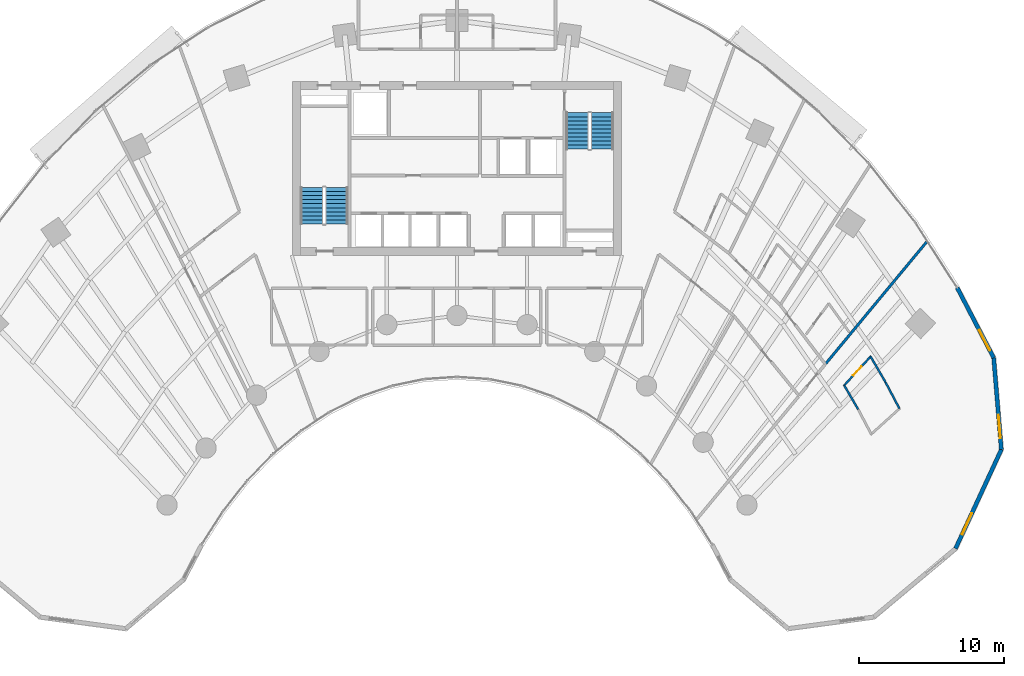
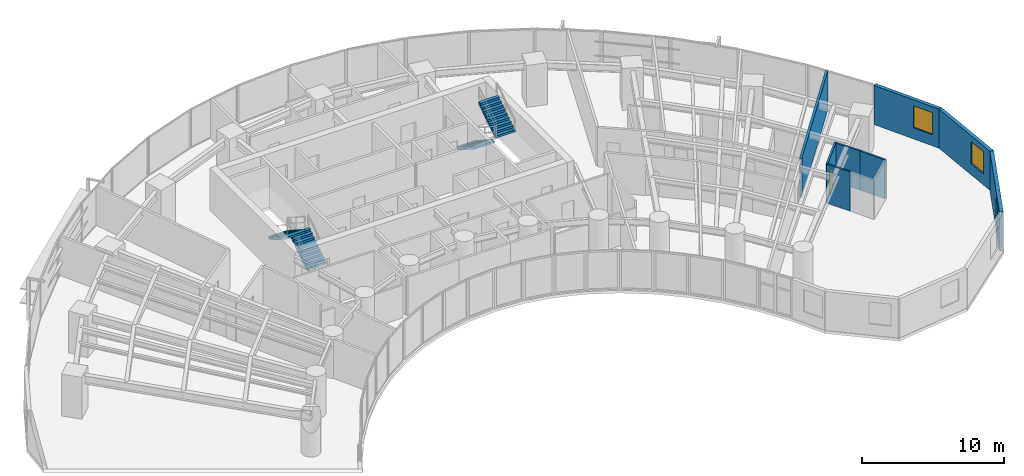
# One storey, part 14 of 17: 8 walls, 4 stair flights, 3 windows, 1 door, 4 openings, 2 elements without a shape of their own.
"""IFC4 building model written with IfcOpenShell, lengths in metres."""

from ifc_helpers import new_model, si_unit, direction, frame, frame_2d, origin, place, context, subcontext, project, spatial, polyline, rectangle, outline, extrude, source, transform, mapped, material, layer, layer_set, type_object, type_shapes, element, fill, aggregate, save


model = new_model("IFC4")

# Units and contexts
model_context = context("Model", 3, precision=1e-05, world=origin(), true_north=direction((0.0, 1.0)))
body_context = subcontext(model_context, "Body", "Model", "MODEL_VIEW")
ifc_project = project(units=[si_unit("LENGTHUNIT", "METRE"), si_unit("AREAUNIT", "SQUARE_METRE"), si_unit("VOLUMEUNIT", "CUBIC_METRE"), si_unit("PLANEANGLEUNIT", "RADIAN"), si_unit("MASSUNIT", "GRAM", prefix="KILO")], contexts=[model_context])

# Site, building, storey
site_placement = place(None, origin())
site = spatial("IfcSite", under=ifc_project, at=site_placement, CompositionType="ELEMENT")
building_placement = place(site_placement, origin())
building = spatial("IfcBuilding", under=site, at=building_placement, Name="Breltana Convention Tower", CompositionType="ELEMENT")
storey_placement = place(building_placement, frame((0.0, 0.0, 64.199951171875)))
storey = spatial("IfcBuildingStorey", under=building, at=storey_placement, Name="L14", CompositionType="ELEMENT", Elevation=64.199951171875)

# Wall, opening, window
ifc_material_1 = material(Name="Limestone Buff Insulated Wall", Category="masonry")
ifc_layer_1 = layer(ifc_material_1, 0.280029296875, Name="Limestone Buff Insulated Wall")
ifc_layer_set_1 = layer_set([ifc_layer_1], Name="Limestone Buff Insulated Wall")
wall_type_1 = type_object("IfcWallType", Name="WL-EXT-NOSE-280", PredefinedType="SOLIDWALL", material=ifc_layer_set_1)
shared_shape_1 = source(origin(), body_context, "Body", "SweptSolid", [
    extrude(rectangle(XDim=6.3525390625, YDim=0.280029296875, at=frame_2d((3.17626953125, 0.0))), origin(), (0.0, 0.0, 1.0), 3.360107421875),
])
wall_1_placement = place(storey_placement, frame((85.052978515625, 53.1220703125, 0.0), z_axis=(0.0, 0.0, 1.0), x_axis=(0.083319001377, -0.996522926986, 0.0)))
wall_1 = element("IfcWall", 1, at=wall_1_placement, inside=storey, type_object=wall_type_1, Name="L14 curved limestone nose wall E1", PredefinedType="SOLIDWALL", context=body_context, shape_type="MappedRepresentation", body=[
    mapped(shared_shape_1, transform((0.0, 0.0, 0.0), scale=1.0)),
])
opening_1_placement = place(wall_1_placement, frame((3.96435546875, 0.0, 0.949951171875)))
opening_1 = element("IfcOpeningElement", 2, at=opening_1_placement, cuts=wall_1, Name="Opening W-04", PredefinedType="OPENING", context=body_context, shape_type="SweptSolid", body=[
    extrude(rectangle(XDim=1.60009765625, YDim=1.89990234375, at=frame_2d((0.800048828125, 0.949951171875))), frame((0.0, 0.14990234375, 0.0), z_axis=(0.0, -1.0, 0.0), x_axis=(1.0, 0.0, 0.0)), (0.0, 0.0, 1.0), 0.300048828125),
])
ifc_material_2 = material(Name="Glass Low-E Insulated Window", Category="glass")
window_type = type_object("IfcWindowType", Name="WN-NOSE-1600X1900", PartitioningType="SINGLE_PANEL", PredefinedType="WINDOW", material=ifc_material_2)
shared_shape_2 = source(origin(), body_context, "Body", "SweptSolid", [
    extrude(rectangle(XDim=1.60009765625, YDim=1.89990234375, at=frame_2d((0.800048828125, 0.949951171875))), frame((0.0, 0.030029296875, 0.0), z_axis=(0.0, -1.0, 0.0), x_axis=(1.0, 0.0, 0.0)), (0.0, 0.0, 1.0), 0.06005859375),
])
type_shapes(window_type, [shared_shape_2])
window_1_placement = place(opening_1_placement, origin())
window_1 = element("IfcWindow", 3, at=window_1_placement, inside=storey, type_object=window_type, Name="L14 nose window E1", OverallHeight=1.89990234375, OverallWidth=1.60009765625, PartitioningType="SINGLE_PANEL", PredefinedType="WINDOW", context=body_context, shape_type="MappedRepresentation", body=[
    mapped(shared_shape_2, transform((0.0, 0.0, 0.0), scale=1.0)),
])
fill(opening_1, window_1)

shared_shape_3 = source(origin(), body_context, "Body", "SweptSolid", [
    extrude(rectangle(XDim=7.536376953125, YDim=0.280029296875, at=frame_2d((3.76806640625, 0.0))), origin(), (0.0, 0.0, 1.0), 3.360107421875),
])
wall_2_placement = place(storey_placement, frame((85.582275390625, 46.79150390625, 0.0), z_axis=(0.0, 0.0, 1.0), x_axis=(-0.41964973873, -0.907686122393, 0.0)))
wall_2 = element("IfcWall", 4, at=wall_2_placement, inside=storey, type_object=wall_type_1, Name="L14 curved limestone nose wall E2", PredefinedType="SOLIDWALL", context=body_context, shape_type="MappedRepresentation", body=[
    mapped(shared_shape_3, transform((0.0, 0.0, 0.0), scale=1.0)),
])
opening_2_placement = place(wall_2_placement, frame((4.852294921875, 0.0, 0.949951171875)))
opening_2 = element("IfcOpeningElement", 5, at=opening_2_placement, cuts=wall_2, Name="Opening W-04", PredefinedType="OPENING", context=body_context, shape_type="SweptSolid", body=[
    extrude(rectangle(XDim=1.60009765625, YDim=1.89990234375, at=frame_2d((0.800048828125, 0.949951171875))), frame((0.0, 0.14990234375, 0.0), z_axis=(0.0, -1.0, 0.0), x_axis=(1.0, 0.0, 0.0)), (0.0, 0.0, 1.0), 0.300048828125),
])
window_2_placement = place(opening_2_placement, origin())
window_2 = element("IfcWindow", 6, at=window_2_placement, inside=storey, type_object=window_type, Name="L14 nose window E2", OverallHeight=1.89990234375, OverallWidth=1.60009765625, PartitioningType="SINGLE_PANEL", PredefinedType="WINDOW", context=body_context, shape_type="MappedRepresentation", body=[
    mapped(shared_shape_2, transform((0.0, 0.0, 0.0), scale=1.0)),
])
fill(opening_2, window_2)

shared_shape_4 = source(origin(), body_context, "Body", "SweptSolid", [
    extrude(rectangle(XDim=5.45947265625, YDim=0.280029296875, at=frame_2d((2.729736328125, 0.0))), origin(), (0.0, 0.0, 1.0), 3.360107421875),
])
wall_3_placement = place(storey_placement, frame((82.531982421875, 57.964599609375, 0.0), z_axis=(0.0, 0.0, 1.0), x_axis=(0.461768054321, -0.887000712518, 0.0)))
wall_3 = element("IfcWall", 7, at=wall_3_placement, inside=storey, type_object=wall_type_1, Name="L14 curved limestone nose wall E7", PredefinedType="SOLIDWALL", context=body_context, shape_type="MappedRepresentation", body=[
    mapped(shared_shape_4, transform((0.0, 0.0, 0.0), scale=1.0)),
])
opening_3_placement = place(wall_3_placement, frame((3.294677734375, 0.0, 0.949951171875)))
opening_3 = element("IfcOpeningElement", 8, at=opening_3_placement, cuts=wall_3, Name="Opening W-04", PredefinedType="OPENING", context=body_context, shape_type="SweptSolid", body=[
    extrude(rectangle(XDim=1.60009765625, YDim=1.89990234375, at=frame_2d((0.800048828125, 0.949951171875))), frame((0.0, 0.14990234375, 0.0), z_axis=(0.0, -1.0, 0.0), x_axis=(1.0, 0.0, 0.0)), (0.0, 0.0, 1.0), 0.300048828125),
])
window_3_placement = place(opening_3_placement, origin())
window_3 = element("IfcWindow", 9, at=window_3_placement, inside=storey, type_object=window_type, Name="L14 nose window E7", OverallHeight=1.89990234375, OverallWidth=1.60009765625, PartitioningType="SINGLE_PANEL", PredefinedType="WINDOW", context=body_context, shape_type="MappedRepresentation", body=[
    mapped(shared_shape_2, transform((0.0, 0.0, 0.0), scale=1.0)),
])
fill(opening_3, window_3)

# Wall, opening, door
ifc_material_3 = material(Name="Moisture-Resistant En-Suite Partition")
ifc_layer_2 = layer(ifc_material_3, 0.139892578125, Name="Moisture-Resistant En-Suite Partition")
ifc_layer_set_2 = layer_set([ifc_layer_2], Name="Moisture-Resistant En-Suite Partition")
wall_type_2 = type_object("IfcWallType", Name="WL-WET-150", PredefinedType="PARTITIONING", material=ifc_layer_set_2)
shared_shape_5 = source(origin(), body_context, "Body", "SweptSolid", [
    extrude(rectangle(XDim=2.812255859375, YDim=0.139892578125, at=frame_2d((1.40625, 0.0))), origin(), (0.0, 0.0, 1.0), 3.360107421875),
])
wall_4_placement = place(storey_placement, frame((74.69677734375, 51.176513671875, 0.0), z_axis=(0.0, 0.0, 1.0), x_axis=(0.675119025852, 0.737708818527, 0.0)))
wall_4 = element("IfcWall", 10, at=wall_4_placement, inside=storey, type_object=wall_type_2, Name="L14 interior partition W-L14-CSENS-E-W", PredefinedType="PARTITIONING", context=body_context, shape_type="MappedRepresentation", body=[
    mapped(shared_shape_5, transform((0.0, 0.0, 0.0), scale=1.0)),
])
opening_4_placement = place(wall_4_placement, frame((0.981201171875, 0.0, 0.0)))
opening_4 = element("IfcOpeningElement", 11, at=opening_4_placement, cuts=wall_4, Name="Opening D-21", PredefinedType="OPENING", context=body_context, shape_type="SweptSolid", body=[
    extrude(rectangle(XDim=0.85009765625, YDim=2.050048828125, at=frame_2d((0.425048828125, 1.02490234375))), frame((0.0, 0.080078125, 0.0), z_axis=(0.0, -1.0, 0.0), x_axis=(1.0, 0.0, 0.0)), (0.0, 0.0, 1.0), 0.159912109375),
])
ifc_material_4 = material(Name="Timber Moisture-Resistant En-Suite Door", Category="wood")
door_type = type_object("IfcDoorType", Name="DR-WET-850", OperationType="NOTDEFINED", PredefinedType="DOOR", material=ifc_material_4)
shared_shape_6 = source(origin(), body_context, "Body", "SweptSolid", [
    extrude(rectangle(XDim=0.85009765625, YDim=2.050048828125, at=frame_2d((0.425048828125, 1.02490234375))), frame((0.0, 0.02490234375, 0.0), z_axis=(0.0, -1.0, 0.0), x_axis=(1.0, 0.0, 0.0)), (0.0, 0.0, 1.0), 0.050048828125),
])
type_shapes(door_type, [shared_shape_6])
door_placement = place(opening_4_placement, origin())
door = element("IfcDoor", 12, at=door_placement, inside=storey, type_object=door_type, Name="L14 interior door D-L14-CSENS-E", OperationType="SINGLE_SWING_LEFT", OverallHeight=2.050048828125, OverallWidth=0.85009765625, PredefinedType="DOOR", context=body_context, shape_type="MappedRepresentation", body=[
    mapped(shared_shape_6, transform((0.0, 0.0, 0.0), scale=1.0)),
])
fill(opening_4, door)

# Walls
shared_shape_7 = source(origin(), body_context, "Body", "SweptSolid", [
    extrude(rectangle(XDim=2.068115234375, YDim=0.139892578125, at=frame_2d((1.0341796875, 0.0))), origin(), (0.0, 0.0, 1.0), 3.360107421875),
])
wall_5_placement = place(storey_placement, frame((77.583740234375, 51.44091796875, 0.0), z_axis=(0.0, 0.0, 1.0), x_axis=(0.467215057643, -0.884143704333, 0.0)))
element("IfcWall", 13, at=wall_5_placement, inside=storey, type_object=wall_type_2, Name="L14 interior partition W-L14-CSENS-E-B2B", PredefinedType="PARTITIONING", context=body_context, shape_type="MappedRepresentation", body=[
    mapped(shared_shape_7, transform((0.0, 0.0, 0.0), scale=1.0)),
])
shared_shape_8 = source(origin(), body_context, "Body", "SweptSolid", [
    extrude(rectangle(XDim=1.914306640625, YDim=0.139892578125, at=frame_2d((0.95703125, 0.0))), origin(), (0.0, 0.0, 1.0), 3.360107421875),
])
wall_6_placement = place(storey_placement, frame((74.735595703125, 51.21875, 0.0), z_axis=(0.0, 0.0, 1.0), x_axis=(0.502347790612, -0.864665656347, 0.0)))
element("IfcWall", 14, at=wall_6_placement, inside=storey, type_object=wall_type_2, Name="L14 interior partition W-L14-CSENS-E-B1A", PredefinedType="PARTITIONING", context=body_context, shape_type="MappedRepresentation", body=[
    mapped(shared_shape_8, transform((0.0, 0.0, 0.0), scale=1.0)),
])
shared_shape_9 = source(origin(), body_context, "Body", "SweptSolid", [
    extrude(rectangle(XDim=2.044677734375, YDim=0.139892578125, at=frame_2d((1.0224609375, 0.0))), origin(), (0.0, 0.0, 1.0), 3.360107421875),
])
wall_7_placement = place(storey_placement, frame((76.556640625, 53.208984375, 0.0), z_axis=(0.0, 0.0, 1.0), x_axis=(0.5023112139, -0.864686905411, 0.0)))
element("IfcWall", 15, at=wall_7_placement, inside=storey, type_object=wall_type_2, Name="L14 interior partition W-L14-CSENS-E-B2A", PredefinedType="PARTITIONING", context=body_context, shape_type="MappedRepresentation", body=[
    mapped(shared_shape_9, transform((0.0, 0.0, 0.0), scale=1.0)),
])
ifc_material_5 = material(Name="Moisture-Resistant Gypsum Chase Wall")
ifc_layer_3 = layer(ifc_material_5, 0.179931640625, Name="Moisture-Resistant Gypsum Chase Wall")
ifc_layer_set_3 = layer_set([ifc_layer_3], Name="Moisture-Resistant Gypsum Chase Wall")
wall_type_3 = type_object("IfcWallType", Name="WL-PLUMB-180", PredefinedType="PLUMBINGWALL", material=ifc_layer_set_3)
shared_shape_10 = source(origin(), body_context, "Body", "SweptSolid", [
    extrude(rectangle(XDim=10.974609375, YDim=0.179931640625, at=frame_2d((5.4873046875, 0.0))), origin(), (0.0, 0.0, 1.0), 3.360107421875),
])
wall_8_placement = place(storey_placement, frame((73.460205078125, 52.71875, 0.0), z_axis=(0.0, 0.0, 1.0), x_axis=(0.638125265812, 0.769932558821, 0.0)))
element("IfcWall", 16, at=wall_8_placement, inside=storey, type_object=wall_type_3, Name="L14 interior partition W-L14-HE03-RB", PredefinedType="PLUMBINGWALL", context=body_context, shape_type="MappedRepresentation", body=[
    mapped(shared_shape_10, transform((0.0, 0.0, 0.0), scale=1.0)),
])

# Stair, stair flights
ifc_material_6 = material(Name="Concrete C40/50", Category="concrete")
stair_type = type_object("IfcStairType", Name="ST-DOG-1560-R180", PredefinedType="HALF_TURN_STAIR", material=ifc_material_6)
stair_1_placement = place(storey_placement, origin())
stair_1 = element("IfcStair", 17, at=stair_1_placement, inside=storey, type_object=stair_type, Name="L14 Protected Core Exit Stair ST-1", PredefinedType="HALF_TURN_STAIR")
stair_flight_type = type_object("IfcStairFlightType", Name="STF-DOG-1560-N10-R180", PredefinedType="STRAIGHT", material=ifc_material_6)
stair_flight_1_placement = place(storey_placement, frame((39.68994140625, 62.360107421875, 0.0), z_axis=(0.0, 0.0, 1.0), x_axis=(0.0, 1.0, 0.0)))
stair_flight_1 = element("IfcStairFlight", 18, at=stair_flight_1_placement, type_object=stair_flight_type, Name="ST-1 flight 1", NumberOfRisers=10, NumberOfTreads=9, PredefinedType="STRAIGHT", RiserHeight=0.18, TreadLength=0.28, context=body_context, shape_type="SweptSolid", body=[
    extrude(outline(polyline([(0.0, 0.0), (0.0, 0.179931640625), (0.280029296875, 0.179931640625), (0.280029296875, 0.360107421875), (0.56005859375, 0.360107421875), (0.56005859375, 0.5400390625), (0.840087890625, 0.5400390625), (0.840087890625, 0.719970703125), (1.1201171875, 0.719970703125), (1.1201171875, 0.89990234375), (1.39990234375, 0.89990234375), (1.39990234375, 1.080078125), (1.679931640625, 1.080078125), (1.679931640625, 1.260009765625), (1.9599609375, 1.260009765625), (1.9599609375, 1.43994140625), (2.239990234375, 1.43994140625), (2.239990234375, 1.6201171875), (2.52001953125, 1.6201171875), (2.52001953125, 1.800048828125), (2.52001953125, 1.44189453125), (0.277099609375, 0.0), (0.0, 0.0)])), frame((0.0, 0.780029296875, 0.0), z_axis=(0.0, -1.0, 0.0), x_axis=(1.0, 0.0, 0.0)), (0.0, 0.0, 1.0), 1.56005859375),
])
stair_flight_2_placement = place(storey_placement, frame((37.97998046875, 64.8798828125, 1.800048828125), z_axis=(0.0, 0.0, 1.0), x_axis=(0.0, -1.0, 0.0)))
stair_flight_2 = element("IfcStairFlight", 19, at=stair_flight_2_placement, type_object=stair_flight_type, Name="ST-1 flight 2", NumberOfRisers=10, NumberOfTreads=9, PredefinedType="STRAIGHT", RiserHeight=0.18, TreadLength=0.28, context=body_context, shape_type="SweptSolid", body=[
    extrude(outline(polyline([(0.0, 0.0), (0.0, 0.179931640625), (0.280029296875, 0.179931640625), (0.280029296875, 0.360107421875), (0.56005859375, 0.360107421875), (0.56005859375, 0.5400390625), (0.840087890625, 0.5400390625), (0.840087890625, 0.719970703125), (1.1201171875, 0.719970703125), (1.1201171875, 0.89990234375), (1.39990234375, 0.89990234375), (1.39990234375, 1.080078125), (1.679931640625, 1.080078125), (1.679931640625, 1.260009765625), (1.9599609375, 1.260009765625), (1.9599609375, 1.43994140625), (2.239990234375, 1.43994140625), (2.239990234375, 1.6201171875), (2.52001953125, 1.6201171875), (2.52001953125, 1.800048828125), (2.52001953125, 1.44189453125), (0.277099609375, 0.0), (0.0, 0.0)])), frame((0.0, 0.780029296875, 0.0), z_axis=(0.0, -1.0, 0.0), x_axis=(1.0, 0.0, 0.0)), (0.0, 0.0, 1.0), 1.56005859375),
])
aggregate(stair_1, [stair_flight_1, stair_flight_2])

stair_2_placement = place(storey_placement, origin())
stair_2 = element("IfcStair", 20, at=stair_2_placement, inside=storey, type_object=stair_type, Name="L14 Protected Core Exit Stair ST-2", PredefinedType="HALF_TURN_STAIR")
stair_flight_3_placement = place(storey_placement, frame((56.31005859375, 70.0400390625, 0.0), z_axis=(0.0, 0.0, 1.0), x_axis=(0.0, -1.0, 0.0)))
stair_flight_3 = element("IfcStairFlight", 21, at=stair_flight_3_placement, type_object=stair_flight_type, Name="ST-2 flight 1", NumberOfRisers=10, NumberOfTreads=9, PredefinedType="STRAIGHT", RiserHeight=0.18, TreadLength=0.28, context=body_context, shape_type="SweptSolid", body=[
    extrude(outline(polyline([(0.0, 0.0), (0.0, 0.179931640625), (0.280029296875, 0.179931640625), (0.280029296875, 0.360107421875), (0.56005859375, 0.360107421875), (0.56005859375, 0.5400390625), (0.840087890625, 0.5400390625), (0.840087890625, 0.719970703125), (1.1201171875, 0.719970703125), (1.1201171875, 0.89990234375), (1.39990234375, 0.89990234375), (1.39990234375, 1.080078125), (1.679931640625, 1.080078125), (1.679931640625, 1.260009765625), (1.9599609375, 1.260009765625), (1.9599609375, 1.43994140625), (2.239990234375, 1.43994140625), (2.239990234375, 1.6201171875), (2.52001953125, 1.6201171875), (2.52001953125, 1.800048828125), (2.52001953125, 1.44189453125), (0.277099609375, 0.0), (0.0, 0.0)])), frame((0.0, 0.780029296875, 0.0), z_axis=(0.0, -1.0, 0.0), x_axis=(1.0, 0.0, 0.0)), (0.0, 0.0, 1.0), 1.56005859375),
])
stair_flight_4_placement = place(storey_placement, frame((58.02001953125, 67.52001953125, 1.800048828125), z_axis=(0.0, 0.0, 1.0), x_axis=(0.0, 1.0, 0.0)))
stair_flight_4 = element("IfcStairFlight", 22, at=stair_flight_4_placement, type_object=stair_flight_type, Name="ST-2 flight 2", NumberOfRisers=10, NumberOfTreads=9, PredefinedType="STRAIGHT", RiserHeight=0.18, TreadLength=0.28, context=body_context, shape_type="SweptSolid", body=[
    extrude(outline(polyline([(0.0, 0.0), (0.0, 0.179931640625), (0.280029296875, 0.179931640625), (0.280029296875, 0.360107421875), (0.56005859375, 0.360107421875), (0.56005859375, 0.5400390625), (0.840087890625, 0.5400390625), (0.840087890625, 0.719970703125), (1.1201171875, 0.719970703125), (1.1201171875, 0.89990234375), (1.39990234375, 0.89990234375), (1.39990234375, 1.080078125), (1.679931640625, 1.080078125), (1.679931640625, 1.260009765625), (1.9599609375, 1.260009765625), (1.9599609375, 1.43994140625), (2.239990234375, 1.43994140625), (2.239990234375, 1.6201171875), (2.52001953125, 1.6201171875), (2.52001953125, 1.800048828125), (2.52001953125, 1.44189453125), (0.277099609375, 0.0), (0.0, 0.0)])), frame((0.0, 0.780029296875, 0.0), z_axis=(0.0, -1.0, 0.0), x_axis=(1.0, 0.0, 0.0)), (0.0, 0.0, 1.0), 1.56005859375),
])
aggregate(stair_2, [stair_flight_3, stair_flight_4])

save(model, "model.ifc")
